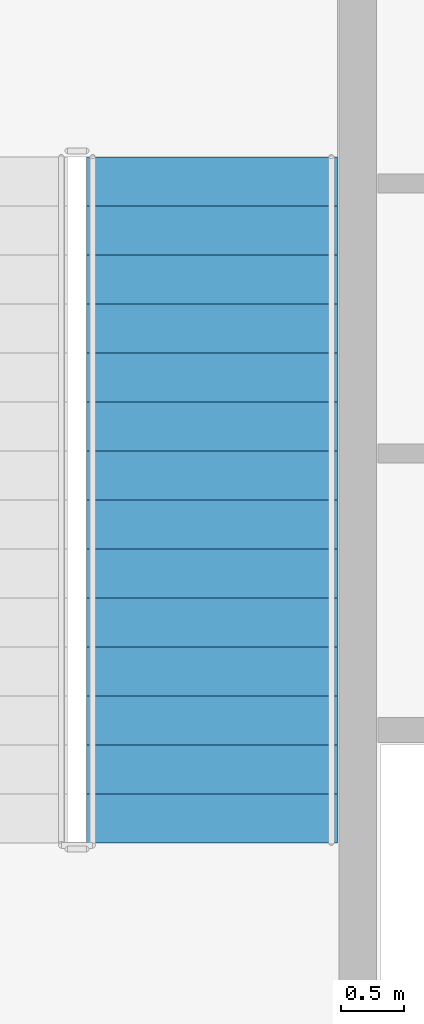
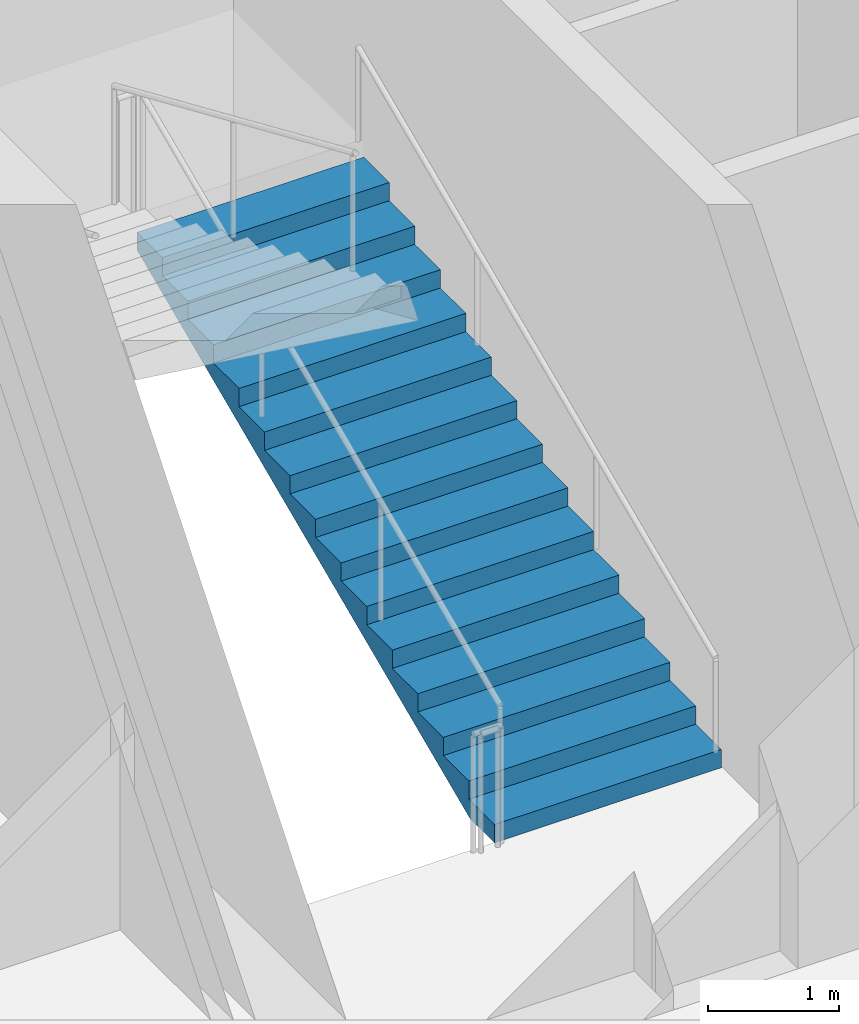
# One storey, part 9 of 12: 1 stair flight, 1 element without a shape of its own.
"""IFC4 building model written with IfcOpenShell, lengths in metres."""

from ifc_helpers import new_model, si_unit, direction, frame, origin, place, context, subcontext, project, spatial, polyline, outline, extrude, material, type_object, element, aggregate, save


model = new_model("IFC4")

# Units and contexts
model_context = context("Model", 3, precision=1e-05, world=origin(), true_north=direction((0.0, 1.0)))
body_context = subcontext(model_context, "Body", "Model", "MODEL_VIEW")
ifc_project = project(units=[si_unit("LENGTHUNIT", "METRE"), si_unit("AREAUNIT", "SQUARE_METRE"), si_unit("VOLUMEUNIT", "CUBIC_METRE"), si_unit("PLANEANGLEUNIT", "RADIAN"), si_unit("MASSUNIT", "GRAM", prefix="KILO")], contexts=[model_context])

# Site, building, storey
site_placement = place(None, origin())
site = spatial("IfcSite", under=ifc_project, at=site_placement, CompositionType="ELEMENT")
building_placement = place(site_placement, origin())
building = spatial("IfcBuilding", under=site, at=building_placement, Name="Hatsunagi Terrace Concourse", CompositionType="ELEMENT")
storey_placement = place(building_placement, frame((0.0, 0.0, 181.64990234375)))
storey = spatial("IfcBuildingStorey", under=building, at=storey_placement, Name="L48", CompositionType="ELEMENT", Elevation=181.64990234375)

# Stair, stair flight
ifc_material_1 = material(Name="Concrete Fc42", Category="concrete")
stair_type = type_object("IfcStairType", Name="DoglegExitStair_Tower2000_30R_170", PredefinedType="HALF_TURN_STAIR", material=ifc_material_1)
stair_placement = place(storey_placement, origin())
stair = element("IfcStair", 1, at=stair_placement, inside=storey, type_object=stair_type, Name="L48 Core A Protected Exit Stair ST-A", PredefinedType="HALF_TURN_STAIR")
ifc_material_2 = material(Name="Concrete Fc42", Category="concrete")
stair_flight_type = type_object("IfcStairFlightType", Name="DoglegStairFlight_Tower2000_30R_170", PredefinedType="STRAIGHT", material=ifc_material_2)
stair_flight_placement = place(storey_placement, frame((29.3798828125, 35.199951171875, 0.0), z_axis=(0.0, 0.0, 1.0), x_axis=(0.0, 1.0, 0.0)))
stair_flight = element("IfcStairFlight", 2, at=stair_flight_placement, type_object=stair_flight_type, Name="ST-A flight 1", NumberOfRisers=15, NumberOfTreads=14, PredefinedType="STRAIGHT", RiserHeight=0.17, TreadLength=0.39, context=body_context, shape_type="SweptSolid", body=[
    extrude(outline(polyline([(0.0, 0.0), (0.0, 0.169921875), (0.389892578125, 0.169921875), (0.389892578125, 0.340087890625), (0.780029296875, 0.340087890625), (0.780029296875, 0.510009765625), (1.169921875, 0.510009765625), (1.169921875, 0.679931640625), (1.56005859375, 0.679931640625), (1.56005859375, 0.85009765625), (1.949951171875, 0.85009765625), (1.949951171875, 1.02001953125), (2.340087890625, 1.02001953125), (2.340087890625, 1.18994140625), (2.72998046875, 1.18994140625), (2.72998046875, 1.360107421875), (3.1201171875, 1.360107421875), (3.1201171875, 1.530029296875), (3.510009765625, 1.530029296875), (3.510009765625, 1.699951171875), (3.89990234375, 1.699951171875), (3.89990234375, 1.8701171875), (4.2900390625, 1.8701171875), (4.2900390625, 2.0400390625), (4.679931640625, 2.0400390625), (4.679931640625, 2.2099609375), (5.070068359375, 2.2099609375), (5.070068359375, 2.3798828125), (5.4599609375, 2.3798828125), (5.4599609375, 2.550048828125), (5.4599609375, 2.216552734375), (0.375244140625, 0.0), (0.0, 0.0)])), frame((0.0, 1.0, 0.0), z_axis=(0.0, -1.0, 0.0), x_axis=(1.0, 0.0, 0.0)), (0.0, 0.0, 1.0), 2.0),
])
aggregate(stair, [stair_flight])

save(model, "model.ifc")
